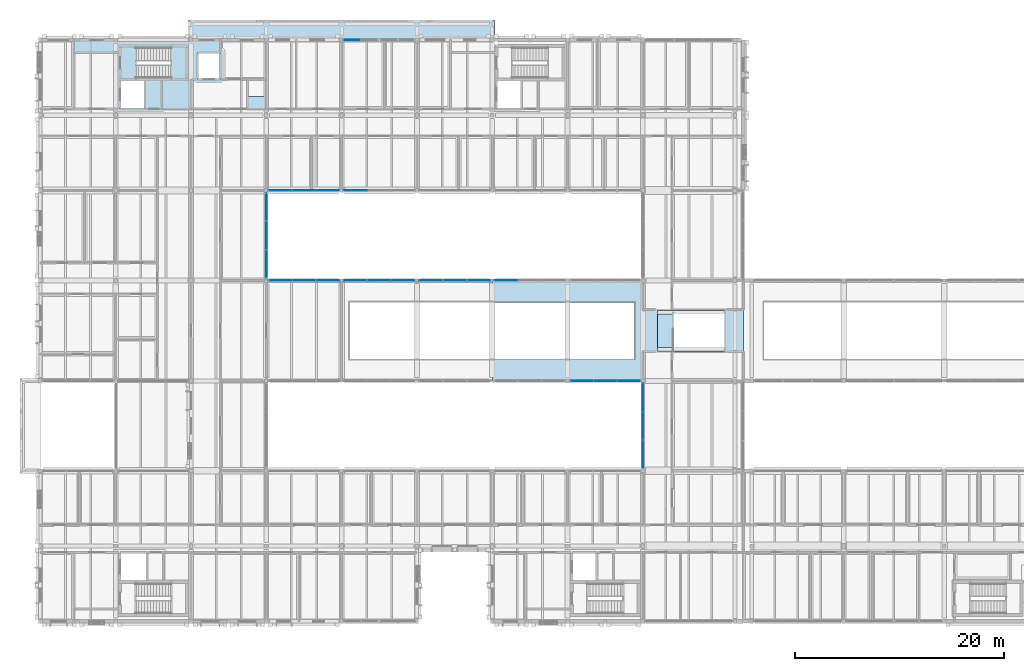
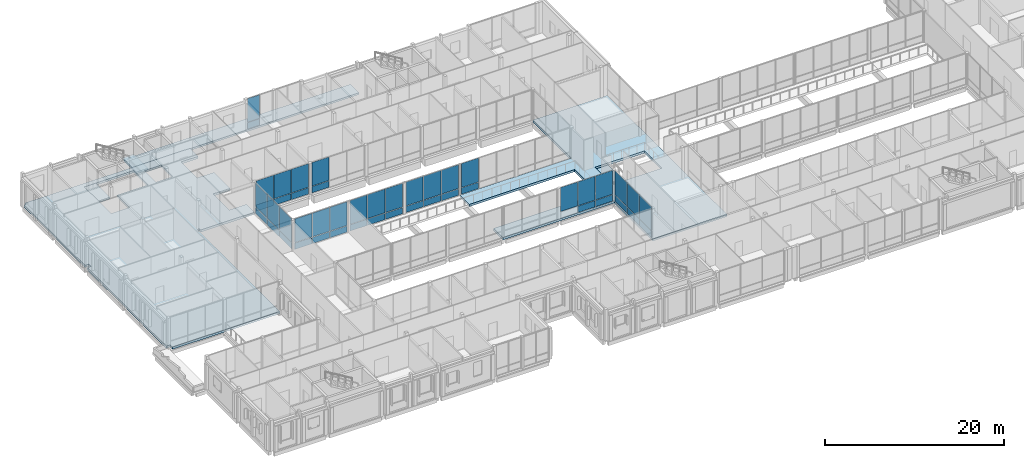
# One storey, part 97 of 146: 47 plates, 6 slabs, 11 elements without a shape of their own.
"""IFC4 building model written with IfcOpenShell, lengths in metres."""

from ifc_helpers import new_model, si_unit, direction, frame, origin, origin_2d, place, context, subcontext, project, spatial, polyline, rectangle, outline, extrude, material, layer, layer_set, type_object, element, aggregate, save


model = new_model("IFC4")

# Units and contexts
model_context = context("Model", 3, precision=1e-05, world=origin(), true_north=direction((0.0, 1.0)))
body_context = subcontext(model_context, "Body", "Model", "MODEL_VIEW")
ifc_project = project(units=[si_unit("LENGTHUNIT", "METRE"), si_unit("AREAUNIT", "SQUARE_METRE"), si_unit("VOLUMEUNIT", "CUBIC_METRE"), si_unit("PLANEANGLEUNIT", "RADIAN"), si_unit("MASSUNIT", "GRAM", prefix="KILO")], contexts=[model_context])

# Site, building, storey
site_placement = place(None, origin())
site = spatial("IfcSite", under=ifc_project, at=site_placement, CompositionType="ELEMENT")
building_placement = place(site_placement, origin())
building = spatial("IfcBuilding", under=site, at=building_placement, Name="Hawrajan Terrace Health Centre", CompositionType="ELEMENT")
storey_placement = place(building_placement, frame((0.0, 0.0, 4.5)))
storey = spatial("IfcBuildingStorey", under=building, at=storey_placement, Name="L01", CompositionType="ELEMENT", Elevation=4.5)

# Curtain wall, plates
ifc_material_1 = material(Name="Anodized bronze aluminium and low-E solar glazing", Category="aluminium")
curtain_wall_type_1 = type_object("IfcCurtainWallType", Name="CW_CourtNS_SeriesC2", PredefinedType="USERDEFINED", material=ifc_material_1)
curtain_wall_1_placement = place(storey_placement, origin())
curtain_wall_1 = element("IfcCurtainWall", 1, at=curtain_wall_1_placement, inside=storey, type_object=curtain_wall_type_1, Name="Curtain wall CW-L01-056", ObjectType="UNITISED CURTAIN WALL", PredefinedType="USERDEFINED")
ifc_material_2 = material(Name="Diffused north-light insulated glazing", Category="glass")
ifc_layer_1 = layer(ifc_material_2, 0.031982421875)
ifc_layer_set_1 = layer_set([ifc_layer_1], Name="Diffused north-light insulated glazing")
plate_type_1 = type_object("IfcPlateType", Name="ClerestoryGlassPanel_32", PredefinedType="CURTAIN_PANEL", material=ifc_layer_set_1)
plate_1_placement = place(storey_placement, frame((26.199951171875, 38.37841796875, 0.9814453125), z_axis=(0.0, 0.0, 1.0), x_axis=(0.0, 1.0, 0.0)))
plate_1 = element("IfcPlate", 2, at=plate_1_placement, type_object=plate_type_1, Name="Curtain panel CW-L01-056-P1-2", PredefinedType="CURTAIN_PANEL", context=body_context, shape_type="SweptSolid", body=[
    extrude(rectangle(XDim=2.65869140625, YDim=0.031982421875, at=origin_2d()), origin(), (0.0, 0.0, 1.0), 3.20947265625),
])
plate_2_placement = place(storey_placement, frame((26.199951171875, 41.10009765625, 0.9814453125), z_axis=(0.0, 0.0, 1.0), x_axis=(0.0, 1.0, 0.0)))
plate_2 = element("IfcPlate", 3, at=plate_2_placement, type_object=plate_type_1, Name="Curtain panel CW-L01-056-P2-2", PredefinedType="CURTAIN_PANEL", context=body_context, shape_type="SweptSolid", body=[
    extrude(rectangle(XDim=2.65869140625, YDim=0.031982421875, at=origin_2d()), origin(), (0.0, 0.0, 1.0), 3.20947265625),
])
plate_3_placement = place(storey_placement, frame((26.199951171875, 43.82177734375, 0.9814453125), z_axis=(0.0, 0.0, 1.0), x_axis=(0.0, 1.0, 0.0)))
plate_3 = element("IfcPlate", 4, at=plate_3_placement, type_object=plate_type_1, Name="Curtain panel CW-L01-056-P3-2", PredefinedType="CURTAIN_PANEL", context=body_context, shape_type="SweptSolid", body=[
    extrude(rectangle(XDim=2.65869140625, YDim=0.031982421875, at=origin_2d()), origin(), (0.0, 0.0, 1.0), 3.20947265625),
])

curtain_wall_type_2 = type_object("IfcCurtainWallType", Name="CW_Hall_SeriesD2", PredefinedType="USERDEFINED", material=ifc_material_1)
curtain_wall_2_placement = place(storey_placement, origin())
curtain_wall_2 = element("IfcCurtainWall", 5, at=curtain_wall_2_placement, inside=storey, type_object=curtain_wall_type_2, Name="Curtain wall CW-L01-059", ObjectType="UNITISED CURTAIN WALL", PredefinedType="USERDEFINED")
plate_4_placement = place(storey_placement, frame((27.556640625, 36.800048828125, 0.9814453125), z_axis=(0.0, 0.0, 1.0), x_axis=(1.0, 0.0, 0.0)))
plate_4 = element("IfcPlate", 6, at=plate_4_placement, type_object=plate_type_1, Name="Curtain panel CW-L01-059-P1-2", PredefinedType="CURTAIN_PANEL", context=body_context, shape_type="SweptSolid", body=[
    extrude(rectangle(XDim=2.215576171875, YDim=0.031982421875, at=origin_2d()), origin(), (0.0, 0.0, 1.0), 3.24951171875),
])
plate_5_placement = place(storey_placement, frame((29.835205078125, 36.800048828125, 0.9814453125), z_axis=(0.0, 0.0, 1.0), x_axis=(1.0, 0.0, 0.0)))
plate_5 = element("IfcPlate", 7, at=plate_5_placement, type_object=plate_type_1, Name="Curtain panel CW-L01-059-P2-2", PredefinedType="CURTAIN_PANEL", context=body_context, shape_type="SweptSolid", body=[
    extrude(rectangle(XDim=2.215576171875, YDim=0.031982421875, at=origin_2d()), origin(), (0.0, 0.0, 1.0), 3.24951171875),
])
plate_6_placement = place(storey_placement, frame((32.11376953125, 36.800048828125, 0.9814453125), z_axis=(0.0, 0.0, 1.0), x_axis=(1.0, 0.0, 0.0)))
plate_6 = element("IfcPlate", 8, at=plate_6_placement, type_object=plate_type_1, Name="Curtain panel CW-L01-059-P3-2", PredefinedType="CURTAIN_PANEL", context=body_context, shape_type="SweptSolid", body=[
    extrude(rectangle(XDim=2.215576171875, YDim=0.031982421875, at=origin_2d()), origin(), (0.0, 0.0, 1.0), 3.24951171875),
])

curtain_wall_type_3 = type_object("IfcCurtainWallType", Name="CW_Clerestory_SeriesG2", PredefinedType="USERDEFINED", material=ifc_material_1)
curtain_wall_3_placement = place(storey_placement, origin())
curtain_wall_3 = element("IfcCurtainWall", 9, at=curtain_wall_3_placement, inside=storey, type_object=curtain_wall_type_3, Name="Curtain wall CW-L01-065", ObjectType="UNITISED CURTAIN WALL", PredefinedType="USERDEFINED")
plate_7_placement = place(storey_placement, frame((34.69140625, 36.800048828125, 0.9814453125), z_axis=(0.0, 0.0, 1.0), x_axis=(1.0, 0.0, 0.0)))
plate_7 = element("IfcPlate", 10, at=plate_7_placement, type_object=plate_type_1, Name="Curtain panel CW-L01-065-P1-2", PredefinedType="CURTAIN_PANEL", context=body_context, shape_type="SweptSolid", body=[
    extrude(rectangle(XDim=2.2255859375, YDim=0.031982421875, at=origin_2d()), origin(), (0.0, 0.0, 1.0), 3.24951171875),
])
plate_8_placement = place(storey_placement, frame((36.979736328125, 36.800048828125, 0.9814453125), z_axis=(0.0, 0.0, 1.0), x_axis=(1.0, 0.0, 0.0)))
plate_8 = element("IfcPlate", 11, at=plate_8_placement, type_object=plate_type_1, Name="Curtain panel CW-L01-065-P2-2", PredefinedType="CURTAIN_PANEL", context=body_context, shape_type="SweptSolid", body=[
    extrude(rectangle(XDim=2.2255859375, YDim=0.031982421875, at=origin_2d()), origin(), (0.0, 0.0, 1.0), 3.24951171875),
])
plate_9_placement = place(storey_placement, frame((39.268310546875, 36.800048828125, 0.9814453125), z_axis=(0.0, 0.0, 1.0), x_axis=(1.0, 0.0, 0.0)))
plate_9 = element("IfcPlate", 12, at=plate_9_placement, type_object=plate_type_1, Name="Curtain panel CW-L01-065-P3-2", PredefinedType="CURTAIN_PANEL", context=body_context, shape_type="SweptSolid", body=[
    extrude(rectangle(XDim=2.2255859375, YDim=0.031982421875, at=origin_2d()), origin(), (0.0, 0.0, 1.0), 3.24951171875),
])

curtain_wall_type_4 = type_object("IfcCurtainWallType", Name="CW_Diagnostic_SeriesM1", PredefinedType="USERDEFINED", material=ifc_material_1)
curtain_wall_4_placement = place(storey_placement, origin())
curtain_wall_4 = element("IfcCurtainWall", 13, at=curtain_wall_4_placement, inside=storey, type_object=curtain_wall_type_4, Name="Curtain wall CW-L01-071", ObjectType="UNITISED CURTAIN WALL", PredefinedType="USERDEFINED")
plate_10_placement = place(storey_placement, frame((41.931640625, 36.800048828125, 0.9814453125), z_axis=(0.0, 0.0, 1.0), x_axis=(1.0, 0.0, 0.0)))
plate_10 = element("IfcPlate", 14, at=plate_10_placement, type_object=plate_type_1, Name="Curtain panel CW-L01-071-P1-2", PredefinedType="CURTAIN_PANEL", context=body_context, shape_type="SweptSolid", body=[
    extrude(rectangle(XDim=2.2255859375, YDim=0.031982421875, at=origin_2d()), origin(), (0.0, 0.0, 1.0), 3.24951171875),
])
plate_11_placement = place(storey_placement, frame((44.22021484375, 36.800048828125, 0.9814453125), z_axis=(0.0, 0.0, 1.0), x_axis=(1.0, 0.0, 0.0)))
plate_11 = element("IfcPlate", 15, at=plate_11_placement, type_object=plate_type_1, Name="Curtain panel CW-L01-071-P2-2", PredefinedType="CURTAIN_PANEL", context=body_context, shape_type="SweptSolid", body=[
    extrude(rectangle(XDim=2.2255859375, YDim=0.031982421875, at=origin_2d()), origin(), (0.0, 0.0, 1.0), 3.24951171875),
])
plate_12_placement = place(storey_placement, frame((46.5087890625, 36.800048828125, 0.9814453125), z_axis=(0.0, 0.0, 1.0), x_axis=(1.0, 0.0, 0.0)))
plate_12 = element("IfcPlate", 16, at=plate_12_placement, type_object=plate_type_1, Name="Curtain panel CW-L01-071-P3-2", PredefinedType="CURTAIN_PANEL", context=body_context, shape_type="SweptSolid", body=[
    extrude(rectangle(XDim=2.2255859375, YDim=0.031982421875, at=origin_2d()), origin(), (0.0, 0.0, 1.0), 3.24951171875),
])

# Slabs
ifc_material_3 = material(Name="Concrete C40/50", Category="concrete")
ifc_layer_2 = layer(ifc_material_3, 0.300048828125)
ifc_layer_set_2 = layer_set([ifc_layer_2], Name="Concrete C40/50")
slab_type_1 = type_object("IfcSlabType", Name="PodiumSlab_RC300", PredefinedType="FLOOR", material=ifc_layer_set_2)
slab_1_placement = place(storey_placement, frame((0.0, 0.0, -0.300048828125)))
element("IfcSlab", 17, at=slab_1_placement, inside=storey, type_object=slab_type_1, Name="Structural slab SL-L01-W-V1-Z2-1", PredefinedType="FLOOR", context=body_context, shape_type="SweptSolid", body=[
    extrude(outline(polyline([(47.802001953125, 27.199951171875), (47.802001953125, 29.300048828125), (61.39990234375, 29.300048828125), (61.39990234375, 34.699951171875), (47.802001953125, 34.699951171875), (47.802001953125, 36.800048828125), (55.0, 36.800048828125), (62.199951171875, 36.800048828125), (62.199951171875, 45.39990234375), (62.47998046875, 45.39990234375), (71.794921875, 45.39990234375), (71.794921875, 36.800048828125), (71.794921875, 27.199951171875), (71.794921875, 18.60009765625), (62.199951171875, 18.60009765625), (62.199951171875, 27.199951171875), (55.0, 27.199951171875), (47.802001953125, 27.199951171875)]), holes=[polyline([(70.0, 33.93994140625), (63.60009765625, 33.93994140625), (63.60009765625, 30.06005859375), (70.0, 30.06005859375), (70.0, 33.93994140625)])]), origin(), (0.0, 0.0, 1.0), 0.300048828125),
])
slab_2_placement = place(storey_placement, frame((0.0, 0.0, -0.300048828125)))
element("IfcSlab", 18, at=slab_2_placement, inside=storey, type_object=slab_type_1, Name="Structural slab SL-L01-W-V2-Z0-1", PredefinedType="FLOOR", context=body_context, shape_type="SweptSolid", body=[
    extrude(outline(polyline([(4.60009765625, 59.52001953125), (4.8798828125, 59.52001953125), (4.8798828125, 59.800048828125), (11.800048828125, 59.800048828125), (19.0, 59.800048828125), (26.199951171875, 59.800048828125), (26.199951171875, 59.52001953125), (26.199951171875, 58.0), (24.0, 58.0), (24.0, 54.39990234375), (26.199951171875, 54.39990234375), (26.199951171875, 52.60009765625), (26.199951171875, 50.800048828125), (24.0, 50.800048828125), (24.0, 47.199951171875), (26.199951171875, 47.199951171875), (26.199951171875, 45.402099609375), (19.280029296875, 45.402099609375), (19.280029296875, 45.679931640625), (19.0, 45.679931640625), (19.0, 45.402099609375), (18.998046875, 45.402099609375), (18.998046875, 27.199951171875), (11.800048828125, 27.199951171875), (5.10009765625, 27.199951171875), (5.10009765625, 27.699951171875), (4.60009765625, 27.699951171875), (4.60009765625, 36.800048828125), (4.60009765625, 45.39990234375), (5.10009765625, 45.39990234375), (5.10009765625, 45.89990234375), (4.60009765625, 45.89990234375), (4.60009765625, 52.60009765625), (4.60009765625, 59.52001953125)]), holes=[polyline([(14.60009765625, 53.199951171875), (14.60009765625, 56.0), (18.60009765625, 56.0), (18.60009765625, 59.199951171875), (12.199951171875, 59.199951171875), (12.199951171875, 56.0), (12.199951171875, 53.199951171875), (14.60009765625, 53.199951171875)]), polyline([(21.800048828125, 56.0), (21.800048828125, 58.60009765625), (19.60009765625, 58.60009765625), (19.60009765625, 56.0), (21.800048828125, 56.0)])]), origin(), (0.0, 0.0, 1.0), 0.300048828125),
])
ifc_material_4 = material(Name="Cross-laminated timber CLT C24", Category="wood")
ifc_layer_3 = layer(ifc_material_4, 0.25)
ifc_layer_set_3 = layer_set([ifc_layer_3], Name="Cross-laminated timber CLT C24")
slab_type_2 = type_object("IfcSlabType", Name="RoofSlab_Ziggurat250", PredefinedType="ROOF", material=ifc_layer_set_3)
slab_3_placement = place(storey_placement, frame((0.0, 0.0, -0.300048828125)))
element("IfcSlab", 19, at=slab_3_placement, inside=storey, type_object=slab_type_2, Name="North civic colonnade canopy roof", PredefinedType="ROOF", context=body_context, shape_type="SweptSolid", body=[
    extrude(outline(polyline([(18.75, 59.800048828125), (48.050048828125, 59.800048828125), (48.050048828125, 61.699951171875), (18.75, 61.699951171875), (18.75, 59.800048828125)])), origin(), (0.0, 0.0, 1.0), 0.25),
])

# Plate
ifc_material_5 = material(Name="Insulated anodized bronze spandrel panel")
ifc_layer_4 = layer(ifc_material_5, 0.048095703125)
ifc_layer_set_4 = layer_set([ifc_layer_4], Name="Insulated anodized bronze spandrel panel")
plate_type_2 = type_object("IfcPlateType", Name="SpandrelPanel_Bronze48", PredefinedType="CURTAIN_PANEL", material=ifc_layer_set_4)
plate_13_placement = place(storey_placement, frame((26.199951171875, 38.37841796875, 0.069091796875), z_axis=(0.0, 0.0, 1.0), x_axis=(0.0, 1.0, 0.0)))
plate_13 = element("IfcPlate", 20, at=plate_13_placement, type_object=plate_type_2, Name="Curtain panel CW-L01-056-P1-1", PredefinedType="CURTAIN_PANEL", context=body_context, shape_type="SweptSolid", body=[
    extrude(rectangle(XDim=2.65869140625, YDim=0.048095703125, at=origin_2d()), origin(), (0.0, 0.0, 1.0), 0.849609375),
])

plate_14_placement = place(storey_placement, frame((26.199951171875, 41.10009765625, 0.069091796875), z_axis=(0.0, 0.0, 1.0), x_axis=(0.0, 1.0, 0.0)))
plate_14 = element("IfcPlate", 21, at=plate_14_placement, type_object=plate_type_2, Name="Curtain panel CW-L01-056-P2-1", PredefinedType="CURTAIN_PANEL", context=body_context, shape_type="SweptSolid", body=[
    extrude(rectangle(XDim=2.65869140625, YDim=0.048095703125, at=origin_2d()), origin(), (0.0, 0.0, 1.0), 0.849609375),
])

plate_15_placement = place(storey_placement, frame((26.199951171875, 43.82177734375, 0.069091796875), z_axis=(0.0, 0.0, 1.0), x_axis=(0.0, 1.0, 0.0)))
plate_15 = element("IfcPlate", 22, at=plate_15_placement, type_object=plate_type_2, Name="Curtain panel CW-L01-056-P3-1", PredefinedType="CURTAIN_PANEL", context=body_context, shape_type="SweptSolid", body=[
    extrude(rectangle(XDim=2.65869140625, YDim=0.048095703125, at=origin_2d()), origin(), (0.0, 0.0, 1.0), 0.849609375),
])

aggregate(curtain_wall_1, [plate_13, plate_1, plate_14, plate_2, plate_15, plate_3])

# Curtain wall, plates
curtain_wall_type_5 = type_object("IfcCurtainWallType", Name="CW_Pavilion_SeriesE1", PredefinedType="USERDEFINED", material=ifc_material_1)
curtain_wall_5_placement = place(storey_placement, origin())
curtain_wall_5 = element("IfcCurtainWall", 23, at=curtain_wall_5_placement, inside=storey, type_object=curtain_wall_type_5, Name="Curtain wall CW-L01-060", ObjectType="UNITISED CURTAIN WALL", PredefinedType="USERDEFINED")
plate_16_placement = place(storey_placement, frame((27.544921875, 45.39990234375, 0.05908203125), z_axis=(0.0, 0.0, 1.0), x_axis=(1.0, 0.0, 0.0)))
plate_16 = element("IfcPlate", 24, at=plate_16_placement, type_object=plate_type_2, Name="Curtain panel CW-L01-060-P1-1", PredefinedType="CURTAIN_PANEL", context=body_context, shape_type="SweptSolid", body=[
    extrude(rectangle(XDim=2.2119140625, YDim=0.048095703125, at=origin_2d()), origin(), (0.0, 0.0, 1.0), 0.864501953125),
])
plate_17_placement = place(storey_placement, frame((29.81005859375, 45.39990234375, 0.05908203125), z_axis=(0.0, 0.0, 1.0), x_axis=(1.0, 0.0, 0.0)))
plate_17 = element("IfcPlate", 25, at=plate_17_placement, type_object=plate_type_2, Name="Curtain panel CW-L01-060-P2-1", PredefinedType="CURTAIN_PANEL", context=body_context, shape_type="SweptSolid", body=[
    extrude(rectangle(XDim=2.2119140625, YDim=0.048095703125, at=origin_2d()), origin(), (0.0, 0.0, 1.0), 0.864501953125),
])
plate_18_placement = place(storey_placement, frame((32.074951171875, 45.39990234375, 0.05908203125), z_axis=(0.0, 0.0, 1.0), x_axis=(1.0, 0.0, 0.0)))
plate_18 = element("IfcPlate", 26, at=plate_18_placement, type_object=plate_type_2, Name="Curtain panel CW-L01-060-P3-1", PredefinedType="CURTAIN_PANEL", context=body_context, shape_type="SweptSolid", body=[
    extrude(rectangle(XDim=2.2119140625, YDim=0.048095703125, at=origin_2d()), origin(), (0.0, 0.0, 1.0), 0.864501953125),
])

# Curtain wall, plate
curtain_wall_type_6 = type_object("IfcCurtainWallType", Name="CW_Clerestory_SeriesG3", PredefinedType="USERDEFINED", material=ifc_material_1)
curtain_wall_6_placement = place(storey_placement, origin())
curtain_wall_6 = element("IfcCurtainWall", 27, at=curtain_wall_6_placement, inside=storey, type_object=curtain_wall_type_6, Name="Curtain wall CW-L01-066", ObjectType="UNITISED CURTAIN WALL", PredefinedType="USERDEFINED")
plate_19_placement = place(storey_placement, frame((34.72509765625, 45.39990234375, 0.05908203125), z_axis=(0.0, 0.0, 1.0), x_axis=(1.0, 0.0, 0.0)))
plate_19 = element("IfcPlate", 28, at=plate_19_placement, type_object=plate_type_2, Name="Curtain panel CW-L01-066-P1-1", PredefinedType="CURTAIN_PANEL", context=body_context, shape_type="SweptSolid", body=[
    extrude(rectangle(XDim=2.2119140625, YDim=0.048095703125, at=origin_2d()), origin(), (0.0, 0.0, 1.0), 0.864501953125),
])

# Curtain wall, plates
curtain_wall_type_7 = type_object("IfcCurtainWallType", Name="CW_Court_SeriesB3", PredefinedType="USERDEFINED", material=ifc_material_1)
curtain_wall_7_placement = place(storey_placement, origin())
curtain_wall_7 = element("IfcCurtainWall", 29, at=curtain_wall_7_placement, inside=storey, type_object=curtain_wall_type_7, Name="Curtain wall CW-L01-078", ObjectType="UNITISED CURTAIN WALL", PredefinedType="USERDEFINED")
plate_20_placement = place(storey_placement, frame((58.60009765625, 27.199951171875, 0.05908203125), z_axis=(0.0, 0.0, 1.0), x_axis=(1.0, 0.0, 0.0)))
plate_20 = element("IfcPlate", 30, at=plate_20_placement, type_object=plate_type_2, Name="Curtain panel CW-L01-078-P2-1", PredefinedType="CURTAIN_PANEL", context=body_context, shape_type="SweptSolid", body=[
    extrude(rectangle(XDim=2.205322265625, YDim=0.048095703125, at=origin_2d()), origin(), (0.0, 0.0, 1.0), 0.864501953125),
])
plate_21_placement = place(storey_placement, frame((60.8583984375, 27.199951171875, 0.05908203125), z_axis=(0.0, 0.0, 1.0), x_axis=(1.0, 0.0, 0.0)))
plate_21 = element("IfcPlate", 31, at=plate_21_placement, type_object=plate_type_2, Name="Curtain panel CW-L01-078-P3-1", PredefinedType="CURTAIN_PANEL", context=body_context, shape_type="SweptSolid", body=[
    extrude(rectangle(XDim=2.205322265625, YDim=0.048095703125, at=origin_2d()), origin(), (0.0, 0.0, 1.0), 0.864501953125),
])

curtain_wall_type_8 = type_object("IfcCurtainWallType", Name="CW_Hall_SeriesD1", PredefinedType="USERDEFINED", material=ifc_material_1)
curtain_wall_8_placement = place(storey_placement, origin())
curtain_wall_8 = element("IfcCurtainWall", 32, at=curtain_wall_8_placement, inside=storey, type_object=curtain_wall_type_8, Name="Curtain wall CW-L01-082", ObjectType="UNITISED CURTAIN WALL", PredefinedType="USERDEFINED")
plate_22_placement = place(storey_placement, frame((62.199951171875, 20.175048828125, 0.05908203125), z_axis=(0.0, 0.0, 1.0), x_axis=(0.0, 1.0, 0.0)))
plate_22 = element("IfcPlate", 33, at=plate_22_placement, type_object=plate_type_2, Name="Curtain panel CW-L01-082-P1-1", PredefinedType="CURTAIN_PANEL", context=body_context, shape_type="SweptSolid", body=[
    extrude(rectangle(XDim=2.672119140625, YDim=0.048095703125, at=origin_2d()), origin(), (0.0, 0.0, 1.0), 0.864501953125),
])
plate_23_placement = place(storey_placement, frame((62.199951171875, 22.89990234375, 0.05908203125), z_axis=(0.0, 0.0, 1.0), x_axis=(0.0, 1.0, 0.0)))
plate_23 = element("IfcPlate", 34, at=plate_23_placement, type_object=plate_type_2, Name="Curtain panel CW-L01-082-P2-1", PredefinedType="CURTAIN_PANEL", context=body_context, shape_type="SweptSolid", body=[
    extrude(rectangle(XDim=2.672119140625, YDim=0.048095703125, at=origin_2d()), origin(), (0.0, 0.0, 1.0), 0.864501953125),
])
plate_24_placement = place(storey_placement, frame((62.199951171875, 25.625, 0.05908203125), z_axis=(0.0, 0.0, 1.0), x_axis=(0.0, 1.0, 0.0)))
plate_24 = element("IfcPlate", 35, at=plate_24_placement, type_object=plate_type_2, Name="Curtain panel CW-L01-082-P3-1", PredefinedType="CURTAIN_PANEL", context=body_context, shape_type="SweptSolid", body=[
    extrude(rectangle(XDim=2.672119140625, YDim=0.048095703125, at=origin_2d()), origin(), (0.0, 0.0, 1.0), 0.864501953125),
])

# Plate
ifc_material_6 = material(Name="Insulated reconstituted coral-stone spandrel", Category="masonry")
ifc_layer_5 = layer(ifc_material_6, 0.055908203125)
ifc_layer_set_5 = layer_set([ifc_layer_5], Name="Insulated reconstituted coral-stone spandrel")
plate_type_3 = type_object("IfcPlateType", Name="SpandrelPanel_Coral56", PredefinedType="CURTAIN_PANEL", material=ifc_layer_set_5)
plate_25_placement = place(storey_placement, frame((27.556640625, 36.800048828125, 0.069091796875), z_axis=(0.0, 0.0, 1.0), x_axis=(1.0, 0.0, 0.0)))
plate_25 = element("IfcPlate", 36, at=plate_25_placement, type_object=plate_type_3, Name="Curtain panel CW-L01-059-P1-1", PredefinedType="CURTAIN_PANEL", context=body_context, shape_type="SweptSolid", body=[
    extrude(rectangle(XDim=2.215576171875, YDim=0.055908203125, at=origin_2d()), origin(), (0.0, 0.0, 1.0), 0.849609375),
])

plate_26_placement = place(storey_placement, frame((29.835205078125, 36.800048828125, 0.069091796875), z_axis=(0.0, 0.0, 1.0), x_axis=(1.0, 0.0, 0.0)))
plate_26 = element("IfcPlate", 37, at=plate_26_placement, type_object=plate_type_3, Name="Curtain panel CW-L01-059-P2-1", PredefinedType="CURTAIN_PANEL", context=body_context, shape_type="SweptSolid", body=[
    extrude(rectangle(XDim=2.215576171875, YDim=0.055908203125, at=origin_2d()), origin(), (0.0, 0.0, 1.0), 0.849609375),
])

plate_27_placement = place(storey_placement, frame((32.11376953125, 36.800048828125, 0.069091796875), z_axis=(0.0, 0.0, 1.0), x_axis=(1.0, 0.0, 0.0)))
plate_27 = element("IfcPlate", 38, at=plate_27_placement, type_object=plate_type_3, Name="Curtain panel CW-L01-059-P3-1", PredefinedType="CURTAIN_PANEL", context=body_context, shape_type="SweptSolid", body=[
    extrude(rectangle(XDim=2.215576171875, YDim=0.055908203125, at=origin_2d()), origin(), (0.0, 0.0, 1.0), 0.849609375),
])

aggregate(curtain_wall_2, [plate_25, plate_4, plate_26, plate_5, plate_27, plate_6])

plate_28_placement = place(storey_placement, frame((34.69140625, 36.800048828125, 0.069091796875), z_axis=(0.0, 0.0, 1.0), x_axis=(1.0, 0.0, 0.0)))
plate_28 = element("IfcPlate", 39, at=plate_28_placement, type_object=plate_type_3, Name="Curtain panel CW-L01-065-P1-1", PredefinedType="CURTAIN_PANEL", context=body_context, shape_type="SweptSolid", body=[
    extrude(rectangle(XDim=2.2255859375, YDim=0.055908203125, at=origin_2d()), origin(), (0.0, 0.0, 1.0), 0.849609375),
])

plate_29_placement = place(storey_placement, frame((36.979736328125, 36.800048828125, 0.069091796875), z_axis=(0.0, 0.0, 1.0), x_axis=(1.0, 0.0, 0.0)))
plate_29 = element("IfcPlate", 40, at=plate_29_placement, type_object=plate_type_3, Name="Curtain panel CW-L01-065-P2-1", PredefinedType="CURTAIN_PANEL", context=body_context, shape_type="SweptSolid", body=[
    extrude(rectangle(XDim=2.2255859375, YDim=0.055908203125, at=origin_2d()), origin(), (0.0, 0.0, 1.0), 0.849609375),
])

plate_30_placement = place(storey_placement, frame((39.268310546875, 36.800048828125, 0.069091796875), z_axis=(0.0, 0.0, 1.0), x_axis=(1.0, 0.0, 0.0)))
plate_30 = element("IfcPlate", 41, at=plate_30_placement, type_object=plate_type_3, Name="Curtain panel CW-L01-065-P3-1", PredefinedType="CURTAIN_PANEL", context=body_context, shape_type="SweptSolid", body=[
    extrude(rectangle(XDim=2.2255859375, YDim=0.055908203125, at=origin_2d()), origin(), (0.0, 0.0, 1.0), 0.849609375),
])

aggregate(curtain_wall_3, [plate_28, plate_7, plate_29, plate_8, plate_30, plate_9])

# Curtain wall, plate
curtain_wall_type_9 = type_object("IfcCurtainWallType", Name="CW_Vestibule_SeriesH1", PredefinedType="USERDEFINED", material=ifc_material_1)
curtain_wall_9_placement = place(storey_placement, origin())
curtain_wall_9 = element("IfcCurtainWall", 42, at=curtain_wall_9_placement, inside=storey, type_object=curtain_wall_type_9, Name="Curtain wall CW-L01-067", ObjectType="UNITISED CURTAIN WALL", PredefinedType="USERDEFINED")
plate_31_placement = place(storey_placement, frame((34.40625, 59.800048828125, 0.05908203125), z_axis=(0.0, 0.0, 1.0), x_axis=(1.0, 0.0, 0.0)))
plate_31 = element("IfcPlate", 43, at=plate_31_placement, type_object=plate_type_3, Name="Curtain panel CW-L01-067-P1-1", PredefinedType="CURTAIN_PANEL", context=body_context, shape_type="SweptSolid", body=[
    extrude(rectangle(XDim=1.574462890625, YDim=0.055908203125, at=origin_2d()), origin(), (0.0, 0.0, 1.0), 0.864501953125),
])

# Plate
plate_32_placement = place(storey_placement, frame((41.931640625, 36.800048828125, 0.069091796875), z_axis=(0.0, 0.0, 1.0), x_axis=(1.0, 0.0, 0.0)))
plate_32 = element("IfcPlate", 44, at=plate_32_placement, type_object=plate_type_3, Name="Curtain panel CW-L01-071-P1-1", PredefinedType="CURTAIN_PANEL", context=body_context, shape_type="SweptSolid", body=[
    extrude(rectangle(XDim=2.2255859375, YDim=0.055908203125, at=origin_2d()), origin(), (0.0, 0.0, 1.0), 0.849609375),
])

plate_33_placement = place(storey_placement, frame((44.22021484375, 36.800048828125, 0.069091796875), z_axis=(0.0, 0.0, 1.0), x_axis=(1.0, 0.0, 0.0)))
plate_33 = element("IfcPlate", 45, at=plate_33_placement, type_object=plate_type_3, Name="Curtain panel CW-L01-071-P2-1", PredefinedType="CURTAIN_PANEL", context=body_context, shape_type="SweptSolid", body=[
    extrude(rectangle(XDim=2.2255859375, YDim=0.055908203125, at=origin_2d()), origin(), (0.0, 0.0, 1.0), 0.849609375),
])

plate_34_placement = place(storey_placement, frame((46.5087890625, 36.800048828125, 0.069091796875), z_axis=(0.0, 0.0, 1.0), x_axis=(1.0, 0.0, 0.0)))
plate_34 = element("IfcPlate", 46, at=plate_34_placement, type_object=plate_type_3, Name="Curtain panel CW-L01-071-P3-1", PredefinedType="CURTAIN_PANEL", context=body_context, shape_type="SweptSolid", body=[
    extrude(rectangle(XDim=2.2255859375, YDim=0.055908203125, at=origin_2d()), origin(), (0.0, 0.0, 1.0), 0.849609375),
])

aggregate(curtain_wall_4, [plate_32, plate_10, plate_33, plate_11, plate_34, plate_12])

# Curtain wall, plate
curtain_wall_type_10 = type_object("IfcCurtainWallType", Name="CW_Court_SeriesA3", PredefinedType="USERDEFINED", material=ifc_material_1)
curtain_wall_10_placement = place(storey_placement, origin())
curtain_wall_10 = element("IfcCurtainWall", 47, at=curtain_wall_10_placement, inside=storey, type_object=curtain_wall_type_10, Name="Curtain wall CW-L01-075", ObjectType="UNITISED CURTAIN WALL", PredefinedType="USERDEFINED")
plate_35_placement = place(storey_placement, frame((49.0830078125, 36.800048828125, 0.05908203125), z_axis=(0.0, 0.0, 1.0), x_axis=(1.0, 0.0, 0.0)))
plate_35 = element("IfcPlate", 48, at=plate_35_placement, type_object=plate_type_3, Name="Curtain panel CW-L01-075-P1-1", PredefinedType="CURTAIN_PANEL", context=body_context, shape_type="SweptSolid", body=[
    extrude(rectangle(XDim=2.228759765625, YDim=0.055908203125, at=origin_2d()), origin(), (0.0, 0.0, 1.0), 0.864501953125),
])

# Stair, slabs
stair_type = type_object("IfcStairType", Name="Stair_4500_W1300", PredefinedType="HALF_TURN_STAIR", material=ifc_material_3)
stair_placement = place(storey_placement, origin())
stair = element("IfcStair", 49, at=stair_placement, inside=storey, type_object=stair_type, Name="Stair ST-1-L01", PredefinedType="HALF_TURN_STAIR")
ifc_layer_6 = layer(ifc_material_3, 0.219970703125)
ifc_layer_set_6 = layer_set([ifc_layer_6], Name="Concrete C40/50")
slab_type_3 = type_object("IfcSlabType", Name="StairLanding_RC220", PredefinedType="LANDING", material=ifc_layer_set_6)
slab_4_placement = place(storey_placement, frame((0.0, 0.0, -0.219970703125)))
slab_4 = element("IfcSlab", 50, at=slab_4_placement, type_object=slab_type_3, Name="Stair floor landing ST-1-L01-L0", PredefinedType="LANDING", context=body_context, shape_type="SweptSolid", body=[
    extrude(outline(polyline([(12.199951171875, 56.0), (13.699951171875, 56.0), (13.699951171875, 59.199951171875), (12.199951171875, 59.199951171875), (12.199951171875, 56.0)])), origin(), (0.0, 0.0, 1.0), 0.219970703125),
])
slab_5_placement = place(storey_placement, frame((0.0, 0.0, 2.030029296875)))
slab_5 = element("IfcSlab", 51, at=slab_5_placement, type_object=slab_type_3, Name="Stair half landing ST-1-L01-L1", PredefinedType="LANDING", context=body_context, shape_type="SweptSolid", body=[
    extrude(outline(polyline([(17.10009765625, 56.0), (18.60009765625, 56.0), (18.60009765625, 59.199951171875), (17.10009765625, 59.199951171875), (17.10009765625, 56.0)])), origin(), (0.0, 0.0, 1.0), 0.219970703125),
])
aggregate(stair, [slab_4, slab_5])

# Slab
slab_6_placement = place(storey_placement, frame((0.0, 0.0, -0.219970703125)))
element("IfcSlab", 52, at=slab_6_placement, inside=storey, type_object=slab_type_3, Name="Stair top arrival landing ST-10", PredefinedType="LANDING", context=body_context, shape_type="SweptSolid", body=[
    extrude(outline(polyline([(63.60009765625, 30.39990234375), (65.10009765625, 30.39990234375), (65.10009765625, 33.60009765625), (63.60009765625, 33.60009765625), (63.60009765625, 30.39990234375)])), origin(), (0.0, 0.0, 1.0), 0.219970703125),
])

# Plate
ifc_material_7 = material(Name="Double-glazed solar control low-E glass", Category="glass")
ifc_layer_7 = layer(ifc_material_7, 0.028076171875)
ifc_layer_set_7 = layer_set([ifc_layer_7], Name="Double-glazed solar control low-E glass")
plate_type_4 = type_object("IfcPlateType", Name="VisionGlassPanel_28", PredefinedType="CURTAIN_PANEL", material=ifc_layer_set_7)
plate_36_placement = place(storey_placement, frame((27.544921875, 45.39990234375, 0.976318359375), z_axis=(0.0, 0.0, 1.0), x_axis=(1.0, 0.0, 0.0)))
plate_36 = element("IfcPlate", 53, at=plate_36_placement, type_object=plate_type_4, Name="Curtain panel CW-L01-060-P1-2", PredefinedType="CURTAIN_PANEL", context=body_context, shape_type="SweptSolid", body=[
    extrude(rectangle(XDim=2.2119140625, YDim=0.028076171875, at=origin_2d()), origin(), (0.0, 0.0, 1.0), 3.224609375),
])

plate_37_placement = place(storey_placement, frame((29.81005859375, 45.39990234375, 0.976318359375), z_axis=(0.0, 0.0, 1.0), x_axis=(1.0, 0.0, 0.0)))
plate_37 = element("IfcPlate", 54, at=plate_37_placement, type_object=plate_type_4, Name="Curtain panel CW-L01-060-P2-2", PredefinedType="CURTAIN_PANEL", context=body_context, shape_type="SweptSolid", body=[
    extrude(rectangle(XDim=2.2119140625, YDim=0.028076171875, at=origin_2d()), origin(), (0.0, 0.0, 1.0), 3.224609375),
])

plate_38_placement = place(storey_placement, frame((32.074951171875, 45.39990234375, 0.976318359375), z_axis=(0.0, 0.0, 1.0), x_axis=(1.0, 0.0, 0.0)))
plate_38 = element("IfcPlate", 55, at=plate_38_placement, type_object=plate_type_4, Name="Curtain panel CW-L01-060-P3-2", PredefinedType="CURTAIN_PANEL", context=body_context, shape_type="SweptSolid", body=[
    extrude(rectangle(XDim=2.2119140625, YDim=0.028076171875, at=origin_2d()), origin(), (0.0, 0.0, 1.0), 3.224609375),
])

aggregate(curtain_wall_5, [plate_16, plate_36, plate_17, plate_37, plate_18, plate_38])

plate_39_placement = place(storey_placement, frame((34.72509765625, 45.39990234375, 0.976318359375), z_axis=(0.0, 0.0, 1.0), x_axis=(1.0, 0.0, 0.0)))
plate_39 = element("IfcPlate", 56, at=plate_39_placement, type_object=plate_type_4, Name="Curtain panel CW-L01-066-P1-2", PredefinedType="CURTAIN_PANEL", context=body_context, shape_type="SweptSolid", body=[
    extrude(rectangle(XDim=2.2119140625, YDim=0.028076171875, at=origin_2d()), origin(), (0.0, 0.0, 1.0), 3.224609375),
])

aggregate(curtain_wall_6, [plate_19, plate_39])

plate_40_placement = place(storey_placement, frame((49.0830078125, 36.800048828125, 0.9765625), z_axis=(0.0, 0.0, 1.0), x_axis=(1.0, 0.0, 0.0)))
plate_40 = element("IfcPlate", 57, at=plate_40_placement, type_object=plate_type_4, Name="Curtain panel CW-L01-075-P1-2", PredefinedType="CURTAIN_PANEL", context=body_context, shape_type="SweptSolid", body=[
    extrude(rectangle(XDim=2.228759765625, YDim=0.028076171875, at=origin_2d()), origin(), (0.0, 0.0, 1.0), 3.264404296875),
])

aggregate(curtain_wall_10, [plate_35, plate_40])

plate_41_placement = place(storey_placement, frame((56.341796875, 27.199951171875, 0.9765625), z_axis=(0.0, 0.0, 1.0), x_axis=(1.0, 0.0, 0.0)))
plate_41 = element("IfcPlate", 58, at=plate_41_placement, type_object=plate_type_4, Name="Curtain panel CW-L01-078-P1-2", PredefinedType="CURTAIN_PANEL", context=body_context, shape_type="SweptSolid", body=[
    extrude(rectangle(XDim=2.205322265625, YDim=0.028076171875, at=origin_2d()), origin(), (0.0, 0.0, 1.0), 3.264404296875),
])

plate_42_placement = place(storey_placement, frame((58.60009765625, 27.199951171875, 0.9765625), z_axis=(0.0, 0.0, 1.0), x_axis=(1.0, 0.0, 0.0)))
plate_42 = element("IfcPlate", 59, at=plate_42_placement, type_object=plate_type_4, Name="Curtain panel CW-L01-078-P2-2", PredefinedType="CURTAIN_PANEL", context=body_context, shape_type="SweptSolid", body=[
    extrude(rectangle(XDim=2.205322265625, YDim=0.028076171875, at=origin_2d()), origin(), (0.0, 0.0, 1.0), 3.264404296875),
])

plate_43_placement = place(storey_placement, frame((60.8583984375, 27.199951171875, 0.9765625), z_axis=(0.0, 0.0, 1.0), x_axis=(1.0, 0.0, 0.0)))
plate_43 = element("IfcPlate", 60, at=plate_43_placement, type_object=plate_type_4, Name="Curtain panel CW-L01-078-P3-2", PredefinedType="CURTAIN_PANEL", context=body_context, shape_type="SweptSolid", body=[
    extrude(rectangle(XDim=2.205322265625, YDim=0.028076171875, at=origin_2d()), origin(), (0.0, 0.0, 1.0), 3.264404296875),
])

aggregate(curtain_wall_7, [plate_41, plate_20, plate_42, plate_21, plate_43])

ifc_material_8 = material(Name="Triple-glazed solar acoustic low-E glass", Category="glass")
ifc_layer_8 = layer(ifc_material_8, 0.035888671875)
ifc_layer_set_8 = layer_set([ifc_layer_8], Name="Triple-glazed solar acoustic low-E glass")
plate_type_5 = type_object("IfcPlateType", Name="VisionGlassPanel_36", PredefinedType="CURTAIN_PANEL", material=ifc_layer_set_8)
plate_44_placement = place(storey_placement, frame((34.40625, 59.800048828125, 0.976318359375), z_axis=(0.0, 0.0, 1.0), x_axis=(1.0, 0.0, 0.0)))
plate_44 = element("IfcPlate", 61, at=plate_44_placement, type_object=plate_type_5, Name="Curtain panel CW-L01-067-P1-2", PredefinedType="CURTAIN_PANEL", context=body_context, shape_type="SweptSolid", body=[
    extrude(rectangle(XDim=1.574462890625, YDim=0.035888671875, at=origin_2d()), origin(), (0.0, 0.0, 1.0), 3.224609375),
])

aggregate(curtain_wall_9, [plate_31, plate_44])

plate_45_placement = place(storey_placement, frame((62.199951171875, 20.175048828125, 0.9765625), z_axis=(0.0, 0.0, 1.0), x_axis=(0.0, 1.0, 0.0)))
plate_45 = element("IfcPlate", 62, at=plate_45_placement, type_object=plate_type_5, Name="Curtain panel CW-L01-082-P1-2", PredefinedType="CURTAIN_PANEL", context=body_context, shape_type="SweptSolid", body=[
    extrude(rectangle(XDim=2.672119140625, YDim=0.035888671875, at=origin_2d()), origin(), (0.0, 0.0, 1.0), 3.264404296875),
])

plate_46_placement = place(storey_placement, frame((62.199951171875, 22.89990234375, 0.9765625), z_axis=(0.0, 0.0, 1.0), x_axis=(0.0, 1.0, 0.0)))
plate_46 = element("IfcPlate", 63, at=plate_46_placement, type_object=plate_type_5, Name="Curtain panel CW-L01-082-P2-2", PredefinedType="CURTAIN_PANEL", context=body_context, shape_type="SweptSolid", body=[
    extrude(rectangle(XDim=2.672119140625, YDim=0.035888671875, at=origin_2d()), origin(), (0.0, 0.0, 1.0), 3.264404296875),
])

plate_47_placement = place(storey_placement, frame((62.199951171875, 25.625, 0.9765625), z_axis=(0.0, 0.0, 1.0), x_axis=(0.0, 1.0, 0.0)))
plate_47 = element("IfcPlate", 64, at=plate_47_placement, type_object=plate_type_5, Name="Curtain panel CW-L01-082-P3-2", PredefinedType="CURTAIN_PANEL", context=body_context, shape_type="SweptSolid", body=[
    extrude(rectangle(XDim=2.672119140625, YDim=0.035888671875, at=origin_2d()), origin(), (0.0, 0.0, 1.0), 3.264404296875),
])

aggregate(curtain_wall_8, [plate_22, plate_45, plate_23, plate_46, plate_24, plate_47])

save(model, "model.ifc")
